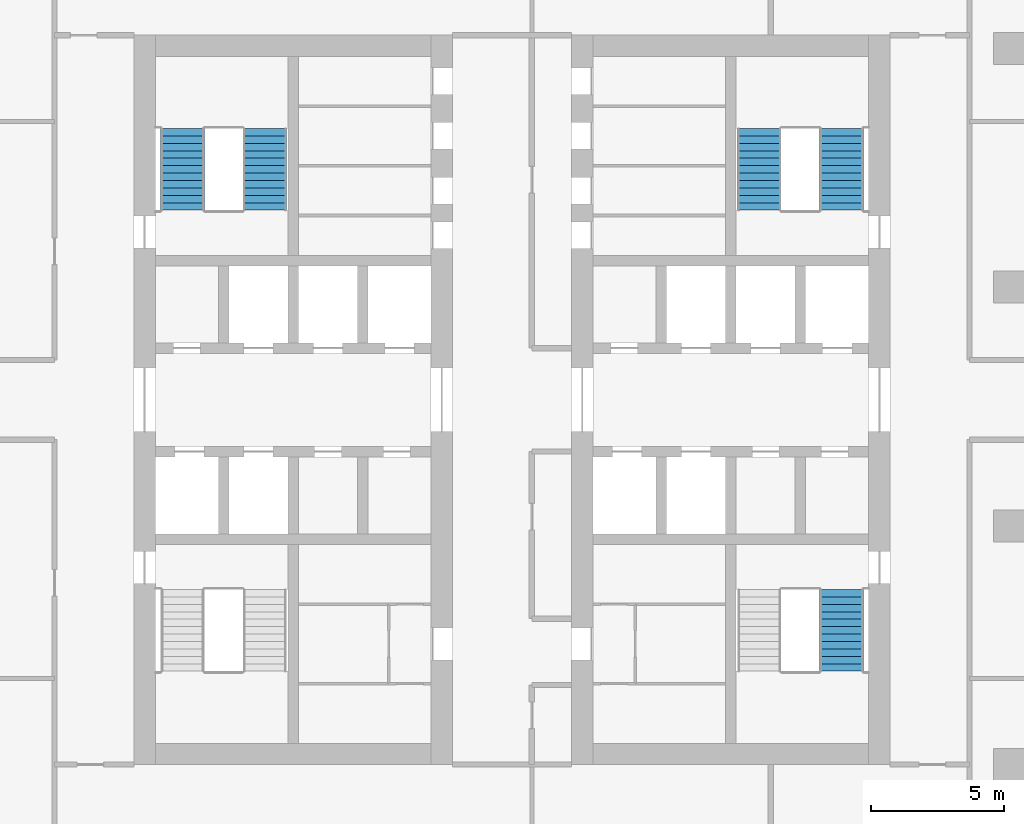
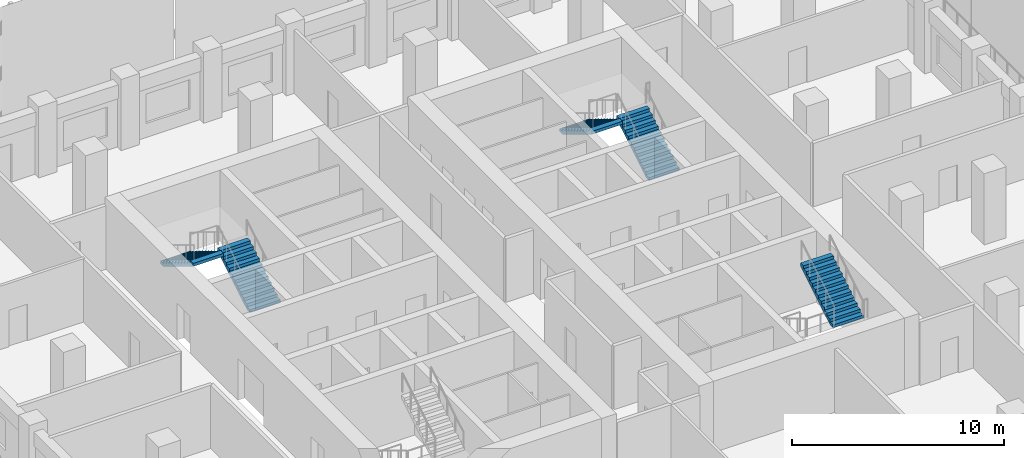
# One storey, part 8 of 16: 5 stair flights, 3 elements without a shape of their own.
"""IFC4 building model written with IfcOpenShell, lengths in metres."""

from ifc_helpers import new_model, si_unit, direction, frame, origin, place, context, subcontext, project, spatial, polyline, outline, extrude, material, type_object, element, aggregate, save


model = new_model("IFC4")

# Units and contexts
model_context = context("Model", 3, precision=1e-05, world=origin(), true_north=direction((0.0, 1.0)))
body_context = subcontext(model_context, "Body", "Model", "MODEL_VIEW")
ifc_project = project(units=[si_unit("LENGTHUNIT", "METRE"), si_unit("AREAUNIT", "SQUARE_METRE"), si_unit("VOLUMEUNIT", "CUBIC_METRE"), si_unit("PLANEANGLEUNIT", "RADIAN"), si_unit("MASSUNIT", "GRAM", prefix="KILO")], contexts=[model_context])

# Site, building, storey
site_placement = place(None, origin())
site = spatial("IfcSite", under=ifc_project, at=site_placement, CompositionType="ELEMENT")
building_placement = place(site_placement, origin())
building = spatial("IfcBuilding", under=site, at=building_placement, Name="Corbel Stack Research Tower", CompositionType="ELEMENT")
storey_placement = place(building_placement, frame((0.0, 0.0, 199.699951171875)))
storey = spatial("IfcBuildingStorey", under=building, at=storey_placement, Name="L45", CompositionType="ELEMENT", Elevation=199.699951171875)

# Stair, stair flights
ifc_material_1 = material(Name="Concrete C40/50", Category="concrete")
stair_type = type_object("IfcStairType", Name="Exit stair 24 risers", PredefinedType="HALF_TURN_STAIR", material=ifc_material_1)
stair_1_placement = place(storey_placement, origin())
stair_1 = element("IfcStair", 1, at=stair_1_placement, inside=storey, type_object=stair_type, Name="L45 Exit stair ST-W2", PredefinedType="HALF_TURN_STAIR")
ifc_material_2 = material(Name="Concrete C40/50", Category="concrete")
stair_flight_type = type_object("IfcStairFlightType", Name="Stair flight 12 risers", PredefinedType="STRAIGHT", material=ifc_material_2)
stair_flight_1_placement = place(storey_placement, frame((-5.574951171875, 11.89990234375, 0.0), z_axis=(0.0, 0.0, 1.0), x_axis=(0.0, 1.0, 0.0)))
stair_flight_1 = element("IfcStairFlight", 2, at=stair_flight_1_placement, type_object=stair_flight_type, Name="ST-W2 flight 1", NumberOfRisers=12, NumberOfTreads=11, PredefinedType="STRAIGHT", RiserHeight=0.170833333, TreadLength=0.28, context=body_context, shape_type="SweptSolid", body=[
    extrude(outline(polyline([(0.0, 0.0), (0.0, 0.1708984375), (0.280029296875, 0.1708984375), (0.280029296875, 0.341552734375), (0.56005859375, 0.341552734375), (0.56005859375, 0.512451171875), (0.840087890625, 0.512451171875), (0.840087890625, 0.683349609375), (1.1201171875, 0.683349609375), (1.1201171875, 0.854248046875), (1.39990234375, 0.854248046875), (1.39990234375, 1.02490234375), (1.679931640625, 1.02490234375), (1.679931640625, 1.19580078125), (1.9599609375, 1.19580078125), (1.9599609375, 1.36669921875), (2.239990234375, 1.36669921875), (2.239990234375, 1.53759765625), (2.52001953125, 1.53759765625), (2.52001953125, 1.708251953125), (2.800048828125, 1.708251953125), (2.800048828125, 1.879150390625), (3.080078125, 1.879150390625), (3.080078125, 2.050048828125), (3.080078125, 1.70361328125), (0.287841796875, 0.0), (0.0, 0.0)])), frame((0.0, 0.824951171875, 0.0), z_axis=(0.0, -1.0, 0.0), x_axis=(1.0, 0.0, 0.0)), (0.0, 0.0, 1.0), 1.64990234375),
])
stair_flight_2_placement = place(storey_placement, frame((-8.675048828125, 14.97998046875, 2.050048828125), z_axis=(0.0, 0.0, 1.0), x_axis=(0.0, -1.0, 0.0)))
stair_flight_2 = element("IfcStairFlight", 3, at=stair_flight_2_placement, type_object=stair_flight_type, Name="ST-W2 flight 2", NumberOfRisers=12, NumberOfTreads=11, PredefinedType="STRAIGHT", RiserHeight=0.170833333, TreadLength=0.28, context=body_context, shape_type="SweptSolid", body=[
    extrude(outline(polyline([(0.0, 0.0), (0.0, 0.1708984375), (0.280029296875, 0.1708984375), (0.280029296875, 0.341552734375), (0.56005859375, 0.341552734375), (0.56005859375, 0.512451171875), (0.840087890625, 0.512451171875), (0.840087890625, 0.683349609375), (1.1201171875, 0.683349609375), (1.1201171875, 0.854248046875), (1.39990234375, 0.854248046875), (1.39990234375, 1.02490234375), (1.679931640625, 1.02490234375), (1.679931640625, 1.19580078125), (1.9599609375, 1.19580078125), (1.9599609375, 1.36669921875), (2.239990234375, 1.36669921875), (2.239990234375, 1.53759765625), (2.52001953125, 1.53759765625), (2.52001953125, 1.708251953125), (2.800048828125, 1.708251953125), (2.800048828125, 1.879150390625), (3.080078125, 1.879150390625), (3.080078125, 2.050048828125), (3.080078125, 1.70361328125), (0.287841796875, 0.0), (0.0, 0.0)])), frame((0.0, 0.824951171875, 0.0), z_axis=(0.0, -1.0, 0.0), x_axis=(1.0, 0.0, 0.0)), (0.0, 0.0, 1.0), 1.64990234375),
])
aggregate(stair_1, [stair_flight_1, stair_flight_2])

# Stair, stair flight
stair_2_placement = place(storey_placement, origin())
stair_2 = element("IfcStair", 4, at=stair_2_placement, inside=storey, type_object=stair_type, Name="L45 Exit stair ST-E1", PredefinedType="HALF_TURN_STAIR")
stair_flight_3_placement = place(storey_placement, frame((16.175048828125, -5.47998046875, 2.050048828125), z_axis=(0.0, 0.0, 1.0), x_axis=(0.0, 1.0, 0.0)))
stair_flight_3 = element("IfcStairFlight", 5, at=stair_flight_3_placement, type_object=stair_flight_type, Name="ST-E1 flight 2", NumberOfRisers=12, NumberOfTreads=11, PredefinedType="STRAIGHT", RiserHeight=0.170833333, TreadLength=0.28, context=body_context, shape_type="SweptSolid", body=[
    extrude(outline(polyline([(0.0, 0.0), (0.0, 0.1708984375), (0.280029296875, 0.1708984375), (0.280029296875, 0.341552734375), (0.56005859375, 0.341552734375), (0.56005859375, 0.512451171875), (0.840087890625, 0.512451171875), (0.840087890625, 0.683349609375), (1.1201171875, 0.683349609375), (1.1201171875, 0.854248046875), (1.39990234375, 0.854248046875), (1.39990234375, 1.02490234375), (1.679931640625, 1.02490234375), (1.679931640625, 1.19580078125), (1.9599609375, 1.19580078125), (1.9599609375, 1.36669921875), (2.239990234375, 1.36669921875), (2.239990234375, 1.53759765625), (2.52001953125, 1.53759765625), (2.52001953125, 1.708251953125), (2.800048828125, 1.708251953125), (2.800048828125, 1.879150390625), (3.080078125, 1.879150390625), (3.080078125, 2.050048828125), (3.080078125, 1.70361328125), (0.287841796875, 0.0), (0.0, 0.0)])), frame((0.0, 0.824951171875, 0.0), z_axis=(0.0, -1.0, 0.0), x_axis=(1.0, 0.0, 0.0)), (0.0, 0.0, 1.0), 1.64990234375),
])
aggregate(stair_2, [stair_flight_3])

# Stair, stair flights
stair_3_placement = place(storey_placement, origin())
stair_3 = element("IfcStair", 6, at=stair_3_placement, inside=storey, type_object=stair_type, Name="L45 Exit stair ST-E2", PredefinedType="HALF_TURN_STAIR")
stair_flight_4_placement = place(storey_placement, frame((16.175048828125, 11.89990234375, 0.0), z_axis=(0.0, 0.0, 1.0), x_axis=(0.0, 1.0, 0.0)))
stair_flight_4 = element("IfcStairFlight", 7, at=stair_flight_4_placement, type_object=stair_flight_type, Name="ST-E2 flight 1", NumberOfRisers=12, NumberOfTreads=11, PredefinedType="STRAIGHT", RiserHeight=0.170833333, TreadLength=0.28, context=body_context, shape_type="SweptSolid", body=[
    extrude(outline(polyline([(0.0, 0.0), (0.0, 0.1708984375), (0.280029296875, 0.1708984375), (0.280029296875, 0.341552734375), (0.56005859375, 0.341552734375), (0.56005859375, 0.512451171875), (0.840087890625, 0.512451171875), (0.840087890625, 0.683349609375), (1.1201171875, 0.683349609375), (1.1201171875, 0.854248046875), (1.39990234375, 0.854248046875), (1.39990234375, 1.02490234375), (1.679931640625, 1.02490234375), (1.679931640625, 1.19580078125), (1.9599609375, 1.19580078125), (1.9599609375, 1.36669921875), (2.239990234375, 1.36669921875), (2.239990234375, 1.53759765625), (2.52001953125, 1.53759765625), (2.52001953125, 1.708251953125), (2.800048828125, 1.708251953125), (2.800048828125, 1.879150390625), (3.080078125, 1.879150390625), (3.080078125, 2.050048828125), (3.080078125, 1.70361328125), (0.287841796875, 0.0), (0.0, 0.0)])), frame((0.0, 0.824951171875, 0.0), z_axis=(0.0, -1.0, 0.0), x_axis=(1.0, 0.0, 0.0)), (0.0, 0.0, 1.0), 1.64990234375),
])
stair_flight_5_placement = place(storey_placement, frame((13.074951171875, 14.97998046875, 2.050048828125), z_axis=(0.0, 0.0, 1.0), x_axis=(0.0, -1.0, 0.0)))
stair_flight_5 = element("IfcStairFlight", 8, at=stair_flight_5_placement, type_object=stair_flight_type, Name="ST-E2 flight 2", NumberOfRisers=12, NumberOfTreads=11, PredefinedType="STRAIGHT", RiserHeight=0.170833333, TreadLength=0.28, context=body_context, shape_type="SweptSolid", body=[
    extrude(outline(polyline([(0.0, 0.0), (0.0, 0.1708984375), (0.280029296875, 0.1708984375), (0.280029296875, 0.341552734375), (0.56005859375, 0.341552734375), (0.56005859375, 0.512451171875), (0.840087890625, 0.512451171875), (0.840087890625, 0.683349609375), (1.1201171875, 0.683349609375), (1.1201171875, 0.854248046875), (1.39990234375, 0.854248046875), (1.39990234375, 1.02490234375), (1.679931640625, 1.02490234375), (1.679931640625, 1.19580078125), (1.9599609375, 1.19580078125), (1.9599609375, 1.36669921875), (2.239990234375, 1.36669921875), (2.239990234375, 1.53759765625), (2.52001953125, 1.53759765625), (2.52001953125, 1.708251953125), (2.800048828125, 1.708251953125), (2.800048828125, 1.879150390625), (3.080078125, 1.879150390625), (3.080078125, 2.050048828125), (3.080078125, 1.70361328125), (0.287841796875, 0.0), (0.0, 0.0)])), frame((0.0, 0.824951171875, 0.0), z_axis=(0.0, -1.0, 0.0), x_axis=(1.0, 0.0, 0.0)), (0.0, 0.0, 1.0), 1.64990234375),
])
aggregate(stair_3, [stair_flight_4, stair_flight_5])

save(model, "model.ifc")
